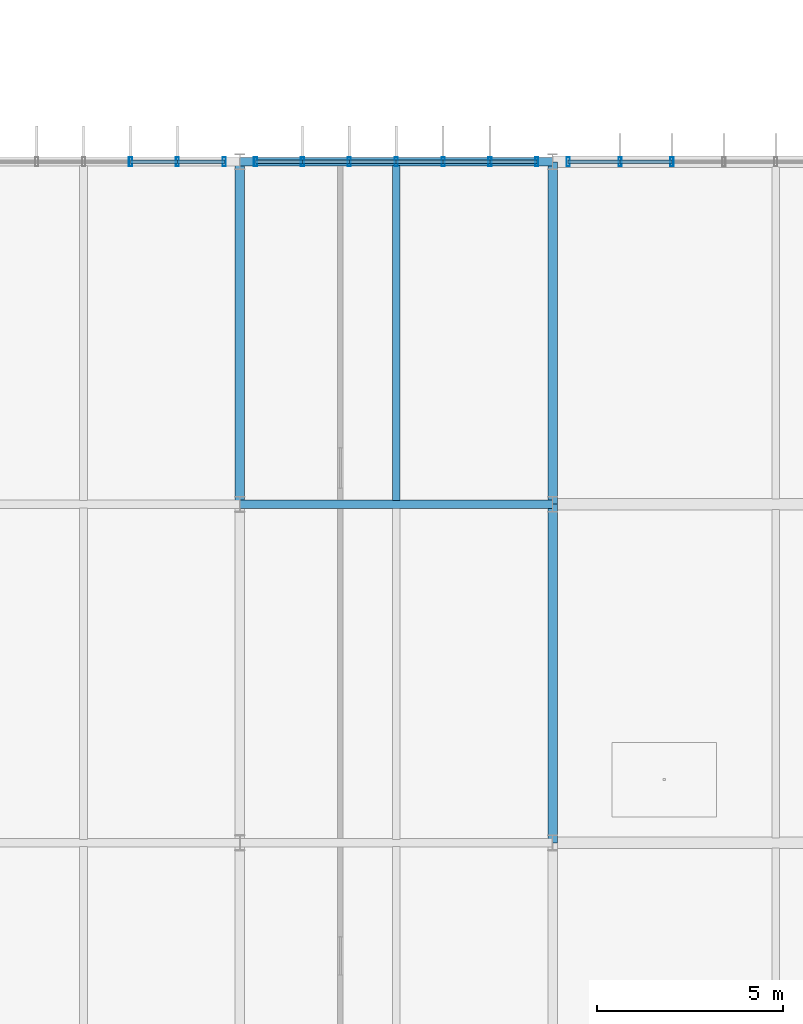
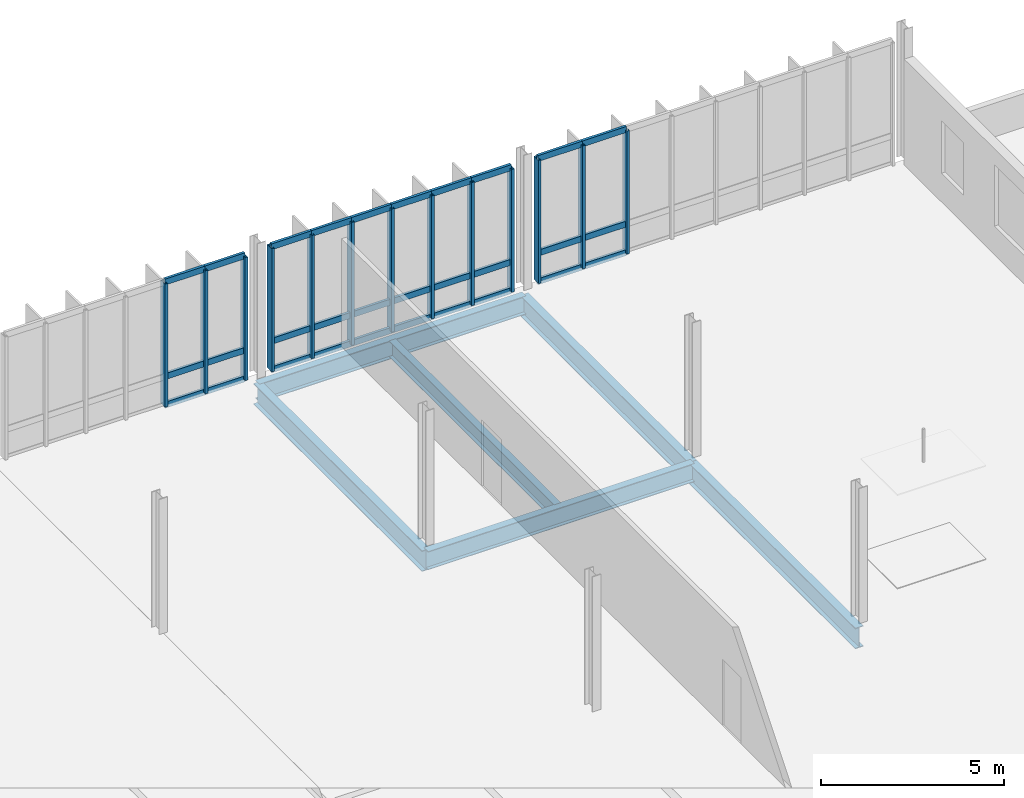
# One storey, part 79 of 139: 43 members, 6 beams, 3 elements without a shape of their own.
"""IFC4 building model written with IfcOpenShell, lengths in metres."""

from ifc_helpers import new_model, si_unit, derived_unit, direction, frame, origin, origin_2d, place, context, subcontext, project, spatial, hollow_rectangle, i_section, extrude, material, layer, layer_set, material_profile, profile_set, type_object, element, aggregate, save


model = new_model("IFC4")

# Units and contexts
model_context = context("Model", 3, precision=1e-05, world=origin(), true_north=direction((0.0, 1.0)))
body_context = subcontext(model_context, "Body", "Model", "MODEL_VIEW")
ifc_project = project(units=[si_unit("LENGTHUNIT", "METRE"), si_unit("AREAUNIT", "SQUARE_METRE"), si_unit("VOLUMEUNIT", "CUBIC_METRE"), si_unit("PLANEANGLEUNIT", "RADIAN"), si_unit("MASSUNIT", "GRAM", prefix="KILO"), derived_unit("THERMALTRANSMITTANCEUNIT", [(si_unit("MASSUNIT", "GRAM", prefix="KILO"), 1), (si_unit("TIMEUNIT", "SECOND"), -3), (si_unit("THERMODYNAMICTEMPERATUREUNIT", "KELVIN"), -1)])], contexts=[model_context])

# Site, building, storey
site_placement = place(None, origin())
site = spatial("IfcSite", under=ifc_project, at=site_placement, CompositionType="ELEMENT")
building_placement = place(site_placement, origin())
building = spatial("IfcBuilding", under=site, at=building_placement, Name="Makaiwela Harbour Ferry Terminal", CompositionType="ELEMENT")
storey_placement = place(building_placement, frame((0.0, 0.0, 5.10009765625)))
storey = spatial("IfcBuildingStorey", under=building, at=storey_placement, Name="L01", CompositionType="ELEMENT", Elevation=5.10009765625)

# Curtain wall, members
ifc_material_1 = material(Name="Marine anodised aluminium 6063-T6", Category="aluminium")
ifc_layer_1 = layer(ifc_material_1, 0.199951171875)
ifc_layer_set_1 = layer_set([ifc_layer_1], Name="Marine anodised aluminium 6063-T6")
curtain_wall_type_1 = type_object("IfcCurtainWallType", Name="ENV-CW-08", PredefinedType="USERDEFINED", material=ifc_layer_set_1)
curtain_wall_1_placement = place(storey_placement, origin())
curtain_wall_1 = element("IfcCurtainWall", 1, at=curtain_wall_1_placement, inside=storey, type_object=curtain_wall_type_1, Name="Unitised Curtain Wall CWA-121", ObjectType="UNITIZED CURTAIN WALL", PredefinedType="USERDEFINED")
ifc_material_profile_1 = material_profile(ifc_material_1, hollow_rectangle(XDim=0.0849609375, YDim=0.25, WallThickness=0.0048828125, at=origin_2d()), Name="CWM-250X85")
ifc_profile_set_1 = profile_set([ifc_material_profile_1], Name="Marine anodised aluminium 6063-T6")
member_type_1 = type_object("IfcMemberType", Name="CW-MUL-250", PredefinedType="MULLION", material=ifc_profile_set_1)
member_1_placement = place(storey_placement, frame((144.06005859375, 95.0, 0.0), z_axis=(0.0, 0.0, 1.0), x_axis=(1.0, 0.0, 0.0)))
member_1 = element("IfcMember", 2, at=member_1_placement, type_object=member_type_1, Name="Curtain Wall Mullion CWA-121-5", PredefinedType="MULLION", context=body_context, shape_type="SweptSolid", body=[
    extrude(hollow_rectangle(XDim=0.0849609375, YDim=0.25, WallThickness=0.0048828125, at=origin_2d()), origin(), (0.0, 0.0, 1.0), 4.099853515625),
])
member_2_placement = place(storey_placement, frame((145.320068359375, 95.0, 0.0), z_axis=(0.0, 0.0, 1.0), x_axis=(1.0, 0.0, 0.0)))
member_2 = element("IfcMember", 3, at=member_2_placement, type_object=member_type_1, Name="Curtain Wall Mullion CWA-121-6", PredefinedType="MULLION", context=body_context, shape_type="SweptSolid", body=[
    extrude(hollow_rectangle(XDim=0.0849609375, YDim=0.25, WallThickness=0.0048828125, at=origin_2d()), origin(), (0.0, 0.0, 1.0), 4.099853515625),
])
member_3_placement = place(storey_placement, frame((146.580078125, 95.0, 0.0), z_axis=(0.0, 0.0, 1.0), x_axis=(1.0, 0.0, 0.0)))
member_3 = element("IfcMember", 4, at=member_3_placement, type_object=member_type_1, Name="Curtain Wall Mullion CWA-121-7", PredefinedType="MULLION", context=body_context, shape_type="SweptSolid", body=[
    extrude(hollow_rectangle(XDim=0.0849609375, YDim=0.25, WallThickness=0.0048828125, at=origin_2d()), origin(), (0.0, 0.0, 1.0), 4.099853515625),
])

curtain_wall_2_placement = place(storey_placement, origin())
curtain_wall_2 = element("IfcCurtainWall", 5, at=curtain_wall_2_placement, inside=storey, type_object=curtain_wall_type_1, Name="Unitised Curtain Wall CWA-125", ObjectType="UNITIZED CURTAIN WALL", PredefinedType="USERDEFINED")
member_4_placement = place(storey_placement, frame((147.419921875, 95.0, 0.0), z_axis=(0.0, 0.0, 1.0), x_axis=(1.0, 0.0, 0.0)))
member_4 = element("IfcMember", 6, at=member_4_placement, type_object=member_type_1, Name="Curtain Wall Mullion CWA-125-1", PredefinedType="MULLION", context=body_context, shape_type="SweptSolid", body=[
    extrude(hollow_rectangle(XDim=0.0849609375, YDim=0.25, WallThickness=0.0048828125, at=origin_2d()), origin(), (0.0, 0.0, 1.0), 4.099853515625),
])
member_5_placement = place(storey_placement, frame((148.679931640625, 95.0, 0.0), z_axis=(0.0, 0.0, 1.0), x_axis=(1.0, 0.0, 0.0)))
member_5 = element("IfcMember", 7, at=member_5_placement, type_object=member_type_1, Name="Curtain Wall Mullion CWA-125-2", PredefinedType="MULLION", context=body_context, shape_type="SweptSolid", body=[
    extrude(hollow_rectangle(XDim=0.0849609375, YDim=0.25, WallThickness=0.0048828125, at=origin_2d()), origin(), (0.0, 0.0, 1.0), 4.099853515625),
])
member_6_placement = place(storey_placement, frame((149.93994140625, 95.0, 0.0), z_axis=(0.0, 0.0, 1.0), x_axis=(1.0, 0.0, 0.0)))
member_6 = element("IfcMember", 8, at=member_6_placement, type_object=member_type_1, Name="Curtain Wall Mullion CWA-125-3", PredefinedType="MULLION", context=body_context, shape_type="SweptSolid", body=[
    extrude(hollow_rectangle(XDim=0.0849609375, YDim=0.25, WallThickness=0.0048828125, at=origin_2d()), origin(), (0.0, 0.0, 1.0), 4.099853515625),
])
member_7_placement = place(storey_placement, frame((151.199951171875, 95.0, 0.0), z_axis=(0.0, 0.0, 1.0), x_axis=(1.0, 0.0, 0.0)))
member_7 = element("IfcMember", 9, at=member_7_placement, type_object=member_type_1, Name="Curtain Wall Mullion CWA-125-4", PredefinedType="MULLION", context=body_context, shape_type="SweptSolid", body=[
    extrude(hollow_rectangle(XDim=0.0849609375, YDim=0.25, WallThickness=0.0048828125, at=origin_2d()), origin(), (0.0, 0.0, 1.0), 4.099853515625),
])
member_8_placement = place(storey_placement, frame((152.4599609375, 95.0, 0.0), z_axis=(0.0, 0.0, 1.0), x_axis=(1.0, 0.0, 0.0)))
member_8 = element("IfcMember", 10, at=member_8_placement, type_object=member_type_1, Name="Curtain Wall Mullion CWA-125-5", PredefinedType="MULLION", context=body_context, shape_type="SweptSolid", body=[
    extrude(hollow_rectangle(XDim=0.0849609375, YDim=0.25, WallThickness=0.0048828125, at=origin_2d()), origin(), (0.0, 0.0, 1.0), 4.099853515625),
])
member_9_placement = place(storey_placement, frame((153.719970703125, 95.0, 0.0), z_axis=(0.0, 0.0, 1.0), x_axis=(1.0, 0.0, 0.0)))
member_9 = element("IfcMember", 11, at=member_9_placement, type_object=member_type_1, Name="Curtain Wall Mullion CWA-125-6", PredefinedType="MULLION", context=body_context, shape_type="SweptSolid", body=[
    extrude(hollow_rectangle(XDim=0.0849609375, YDim=0.25, WallThickness=0.0048828125, at=origin_2d()), origin(), (0.0, 0.0, 1.0), 4.099853515625),
])
member_10_placement = place(storey_placement, frame((154.97998046875, 95.0, 0.0), z_axis=(0.0, 0.0, 1.0), x_axis=(1.0, 0.0, 0.0)))
member_10 = element("IfcMember", 12, at=member_10_placement, type_object=member_type_1, Name="Curtain Wall Mullion CWA-125-7", PredefinedType="MULLION", context=body_context, shape_type="SweptSolid", body=[
    extrude(hollow_rectangle(XDim=0.0849609375, YDim=0.25, WallThickness=0.0048828125, at=origin_2d()), origin(), (0.0, 0.0, 1.0), 4.099853515625),
])

ifc_layer_2 = layer(ifc_material_1, 0.199951171875)
ifc_layer_set_2 = layer_set([ifc_layer_2], Name="Marine anodised aluminium 6063-T6")
curtain_wall_type_2 = type_object("IfcCurtainWallType", Name="ENV-CW-17", PredefinedType="USERDEFINED", material=ifc_layer_set_2)
curtain_wall_3_placement = place(storey_placement, origin())
curtain_wall_3 = element("IfcCurtainWall", 13, at=curtain_wall_3_placement, inside=storey, type_object=curtain_wall_type_2, Name="Unitised Curtain Wall CWA-129", ObjectType="UNITIZED CURTAIN WALL", PredefinedType="USERDEFINED")
member_11_placement = place(storey_placement, frame((155.820068359375, 95.0, 0.0), z_axis=(0.0, 0.0, 1.0), x_axis=(1.0, 0.0, 0.0)))
member_11 = element("IfcMember", 14, at=member_11_placement, type_object=member_type_1, Name="Curtain Wall Mullion CWA-129-1", PredefinedType="MULLION", context=body_context, shape_type="SweptSolid", body=[
    extrude(hollow_rectangle(XDim=0.0849609375, YDim=0.25, WallThickness=0.0048828125, at=origin_2d()), origin(), (0.0, 0.0, 1.0), 4.099853515625),
])
member_12_placement = place(storey_placement, frame((157.215087890625, 95.0, 0.0), z_axis=(0.0, 0.0, 1.0), x_axis=(1.0, 0.0, 0.0)))
member_12 = element("IfcMember", 15, at=member_12_placement, type_object=member_type_1, Name="Curtain Wall Mullion CWA-129-2", PredefinedType="MULLION", context=body_context, shape_type="SweptSolid", body=[
    extrude(hollow_rectangle(XDim=0.0849609375, YDim=0.25, WallThickness=0.0048828125, at=origin_2d()), origin(), (0.0, 0.0, 1.0), 4.099853515625),
])
member_13_placement = place(storey_placement, frame((158.610107421875, 95.0, 0.0), z_axis=(0.0, 0.0, 1.0), x_axis=(1.0, 0.0, 0.0)))
member_13 = element("IfcMember", 16, at=member_13_placement, type_object=member_type_1, Name="Curtain Wall Mullion CWA-129-3", PredefinedType="MULLION", context=body_context, shape_type="SweptSolid", body=[
    extrude(hollow_rectangle(XDim=0.0849609375, YDim=0.25, WallThickness=0.0048828125, at=origin_2d()), origin(), (0.0, 0.0, 1.0), 4.099853515625),
])

# Member
ifc_material_profile_2 = material_profile(ifc_material_1, hollow_rectangle(XDim=0.0849609375, YDim=0.199951171875, WallThickness=0.0048828125, at=origin_2d()), Name="CWT-200X85")
ifc_profile_set_2 = profile_set([ifc_material_profile_2], Name="Marine anodised aluminium 6063-T6")
member_type_2 = type_object("IfcMemberType", Name="CW-TRN-200", PredefinedType="USERDEFINED", material=ifc_profile_set_2)
member_14_placement = place(storey_placement, frame((144.06005859375, 95.0, 0.0), z_axis=(1.0, 0.0, 0.0), x_axis=(0.0, 1.0, 0.0)))
member_14 = element("IfcMember", 17, at=member_14_placement, type_object=member_type_2, Name="Curtain Wall Transom CWA-121-5-1", ObjectType="TRANSOM", PredefinedType="USERDEFINED", context=body_context, shape_type="SweptSolid", body=[
    extrude(hollow_rectangle(XDim=0.0849609375, YDim=0.199951171875, WallThickness=0.0048828125, at=origin_2d()), origin(), (0.0, 0.0, 1.0), 1.260009765625),
])

member_15_placement = place(storey_placement, frame((144.06005859375, 95.0, 0.949951171875), z_axis=(1.0, 0.0, 0.0), x_axis=(0.0, 1.0, 0.0)))
member_15 = element("IfcMember", 18, at=member_15_placement, type_object=member_type_2, Name="Curtain Wall Transom CWA-121-5-2", ObjectType="TRANSOM", PredefinedType="USERDEFINED", context=body_context, shape_type="SweptSolid", body=[
    extrude(hollow_rectangle(XDim=0.0849609375, YDim=0.199951171875, WallThickness=0.0048828125, at=origin_2d()), origin(), (0.0, 0.0, 1.0), 1.260009765625),
])

member_16_placement = place(storey_placement, frame((144.06005859375, 95.0, 4.099853515625), z_axis=(1.0, 0.0, 0.0), x_axis=(0.0, 1.0, 0.0)))
member_16 = element("IfcMember", 19, at=member_16_placement, type_object=member_type_2, Name="Curtain Wall Transom CWA-121-5-3", ObjectType="TRANSOM", PredefinedType="USERDEFINED", context=body_context, shape_type="SweptSolid", body=[
    extrude(hollow_rectangle(XDim=0.0849609375, YDim=0.199951171875, WallThickness=0.0048828125, at=origin_2d()), origin(), (0.0, 0.0, 1.0), 1.260009765625),
])

member_17_placement = place(storey_placement, frame((145.320068359375, 95.0, 0.0), z_axis=(1.0, 0.0, 0.0), x_axis=(0.0, 1.0, 0.0)))
member_17 = element("IfcMember", 20, at=member_17_placement, type_object=member_type_2, Name="Curtain Wall Transom CWA-121-6-1", ObjectType="TRANSOM", PredefinedType="USERDEFINED", context=body_context, shape_type="SweptSolid", body=[
    extrude(hollow_rectangle(XDim=0.0849609375, YDim=0.199951171875, WallThickness=0.0048828125, at=origin_2d()), origin(), (0.0, 0.0, 1.0), 1.260009765625),
])

member_18_placement = place(storey_placement, frame((145.320068359375, 95.0, 0.949951171875), z_axis=(1.0, 0.0, 0.0), x_axis=(0.0, 1.0, 0.0)))
member_18 = element("IfcMember", 21, at=member_18_placement, type_object=member_type_2, Name="Curtain Wall Transom CWA-121-6-2", ObjectType="TRANSOM", PredefinedType="USERDEFINED", context=body_context, shape_type="SweptSolid", body=[
    extrude(hollow_rectangle(XDim=0.0849609375, YDim=0.199951171875, WallThickness=0.0048828125, at=origin_2d()), origin(), (0.0, 0.0, 1.0), 1.260009765625),
])

member_19_placement = place(storey_placement, frame((145.320068359375, 95.0, 4.099853515625), z_axis=(1.0, 0.0, 0.0), x_axis=(0.0, 1.0, 0.0)))
member_19 = element("IfcMember", 22, at=member_19_placement, type_object=member_type_2, Name="Curtain Wall Transom CWA-121-6-3", ObjectType="TRANSOM", PredefinedType="USERDEFINED", context=body_context, shape_type="SweptSolid", body=[
    extrude(hollow_rectangle(XDim=0.0849609375, YDim=0.199951171875, WallThickness=0.0048828125, at=origin_2d()), origin(), (0.0, 0.0, 1.0), 1.260009765625),
])

aggregate(curtain_wall_1, [member_1, member_2, member_3, member_14, member_15, member_16, member_17, member_18, member_19])

member_20_placement = place(storey_placement, frame((147.419921875, 95.0, 0.0), z_axis=(1.0, 0.0, 0.0), x_axis=(0.0, 1.0, 0.0)))
member_20 = element("IfcMember", 23, at=member_20_placement, type_object=member_type_2, Name="Curtain Wall Transom CWA-125-1-1", ObjectType="TRANSOM", PredefinedType="USERDEFINED", context=body_context, shape_type="SweptSolid", body=[
    extrude(hollow_rectangle(XDim=0.0849609375, YDim=0.199951171875, WallThickness=0.0048828125, at=origin_2d()), origin(), (0.0, 0.0, 1.0), 1.260009765625),
])

member_21_placement = place(storey_placement, frame((147.419921875, 95.0, 0.949951171875), z_axis=(1.0, 0.0, 0.0), x_axis=(0.0, 1.0, 0.0)))
member_21 = element("IfcMember", 24, at=member_21_placement, type_object=member_type_2, Name="Curtain Wall Transom CWA-125-1-2", ObjectType="TRANSOM", PredefinedType="USERDEFINED", context=body_context, shape_type="SweptSolid", body=[
    extrude(hollow_rectangle(XDim=0.0849609375, YDim=0.199951171875, WallThickness=0.0048828125, at=origin_2d()), origin(), (0.0, 0.0, 1.0), 1.260009765625),
])

member_22_placement = place(storey_placement, frame((147.419921875, 95.0, 4.099853515625), z_axis=(1.0, 0.0, 0.0), x_axis=(0.0, 1.0, 0.0)))
member_22 = element("IfcMember", 25, at=member_22_placement, type_object=member_type_2, Name="Curtain Wall Transom CWA-125-1-3", ObjectType="TRANSOM", PredefinedType="USERDEFINED", context=body_context, shape_type="SweptSolid", body=[
    extrude(hollow_rectangle(XDim=0.0849609375, YDim=0.199951171875, WallThickness=0.0048828125, at=origin_2d()), origin(), (0.0, 0.0, 1.0), 1.260009765625),
])

member_23_placement = place(storey_placement, frame((148.679931640625, 95.0, 0.0), z_axis=(1.0, 0.0, 0.0), x_axis=(0.0, 1.0, 0.0)))
member_23 = element("IfcMember", 26, at=member_23_placement, type_object=member_type_2, Name="Curtain Wall Transom CWA-125-2-1", ObjectType="TRANSOM", PredefinedType="USERDEFINED", context=body_context, shape_type="SweptSolid", body=[
    extrude(hollow_rectangle(XDim=0.0849609375, YDim=0.199951171875, WallThickness=0.0048828125, at=origin_2d()), origin(), (0.0, 0.0, 1.0), 1.260009765625),
])

member_24_placement = place(storey_placement, frame((148.679931640625, 95.0, 0.949951171875), z_axis=(1.0, 0.0, 0.0), x_axis=(0.0, 1.0, 0.0)))
member_24 = element("IfcMember", 27, at=member_24_placement, type_object=member_type_2, Name="Curtain Wall Transom CWA-125-2-2", ObjectType="TRANSOM", PredefinedType="USERDEFINED", context=body_context, shape_type="SweptSolid", body=[
    extrude(hollow_rectangle(XDim=0.0849609375, YDim=0.199951171875, WallThickness=0.0048828125, at=origin_2d()), origin(), (0.0, 0.0, 1.0), 1.260009765625),
])

member_25_placement = place(storey_placement, frame((148.679931640625, 95.0, 4.099853515625), z_axis=(1.0, 0.0, 0.0), x_axis=(0.0, 1.0, 0.0)))
member_25 = element("IfcMember", 28, at=member_25_placement, type_object=member_type_2, Name="Curtain Wall Transom CWA-125-2-3", ObjectType="TRANSOM", PredefinedType="USERDEFINED", context=body_context, shape_type="SweptSolid", body=[
    extrude(hollow_rectangle(XDim=0.0849609375, YDim=0.199951171875, WallThickness=0.0048828125, at=origin_2d()), origin(), (0.0, 0.0, 1.0), 1.260009765625),
])

member_26_placement = place(storey_placement, frame((149.93994140625, 95.0, 0.0), z_axis=(1.0, 0.0, 0.0), x_axis=(0.0, 1.0, 0.0)))
member_26 = element("IfcMember", 29, at=member_26_placement, type_object=member_type_2, Name="Curtain Wall Transom CWA-125-3-1", ObjectType="TRANSOM", PredefinedType="USERDEFINED", context=body_context, shape_type="SweptSolid", body=[
    extrude(hollow_rectangle(XDim=0.0849609375, YDim=0.199951171875, WallThickness=0.0048828125, at=origin_2d()), origin(), (0.0, 0.0, 1.0), 1.260009765625),
])

member_27_placement = place(storey_placement, frame((149.93994140625, 95.0, 0.949951171875), z_axis=(1.0, 0.0, 0.0), x_axis=(0.0, 1.0, 0.0)))
member_27 = element("IfcMember", 30, at=member_27_placement, type_object=member_type_2, Name="Curtain Wall Transom CWA-125-3-2", ObjectType="TRANSOM", PredefinedType="USERDEFINED", context=body_context, shape_type="SweptSolid", body=[
    extrude(hollow_rectangle(XDim=0.0849609375, YDim=0.199951171875, WallThickness=0.0048828125, at=origin_2d()), origin(), (0.0, 0.0, 1.0), 1.260009765625),
])

member_28_placement = place(storey_placement, frame((149.93994140625, 95.0, 4.099853515625), z_axis=(1.0, 0.0, 0.0), x_axis=(0.0, 1.0, 0.0)))
member_28 = element("IfcMember", 31, at=member_28_placement, type_object=member_type_2, Name="Curtain Wall Transom CWA-125-3-3", ObjectType="TRANSOM", PredefinedType="USERDEFINED", context=body_context, shape_type="SweptSolid", body=[
    extrude(hollow_rectangle(XDim=0.0849609375, YDim=0.199951171875, WallThickness=0.0048828125, at=origin_2d()), origin(), (0.0, 0.0, 1.0), 1.260009765625),
])

member_29_placement = place(storey_placement, frame((151.199951171875, 95.0, 0.0), z_axis=(1.0, 0.0, 0.0), x_axis=(0.0, 1.0, 0.0)))
member_29 = element("IfcMember", 32, at=member_29_placement, type_object=member_type_2, Name="Curtain Wall Transom CWA-125-4-1", ObjectType="TRANSOM", PredefinedType="USERDEFINED", context=body_context, shape_type="SweptSolid", body=[
    extrude(hollow_rectangle(XDim=0.0849609375, YDim=0.199951171875, WallThickness=0.0048828125, at=origin_2d()), origin(), (0.0, 0.0, 1.0), 1.260009765625),
])

member_30_placement = place(storey_placement, frame((151.199951171875, 95.0, 0.949951171875), z_axis=(1.0, 0.0, 0.0), x_axis=(0.0, 1.0, 0.0)))
member_30 = element("IfcMember", 33, at=member_30_placement, type_object=member_type_2, Name="Curtain Wall Transom CWA-125-4-2", ObjectType="TRANSOM", PredefinedType="USERDEFINED", context=body_context, shape_type="SweptSolid", body=[
    extrude(hollow_rectangle(XDim=0.0849609375, YDim=0.199951171875, WallThickness=0.0048828125, at=origin_2d()), origin(), (0.0, 0.0, 1.0), 1.260009765625),
])

member_31_placement = place(storey_placement, frame((151.199951171875, 95.0, 4.099853515625), z_axis=(1.0, 0.0, 0.0), x_axis=(0.0, 1.0, 0.0)))
member_31 = element("IfcMember", 34, at=member_31_placement, type_object=member_type_2, Name="Curtain Wall Transom CWA-125-4-3", ObjectType="TRANSOM", PredefinedType="USERDEFINED", context=body_context, shape_type="SweptSolid", body=[
    extrude(hollow_rectangle(XDim=0.0849609375, YDim=0.199951171875, WallThickness=0.0048828125, at=origin_2d()), origin(), (0.0, 0.0, 1.0), 1.260009765625),
])

member_32_placement = place(storey_placement, frame((152.4599609375, 95.0, 0.0), z_axis=(1.0, 0.0, 0.0), x_axis=(0.0, 1.0, 0.0)))
member_32 = element("IfcMember", 35, at=member_32_placement, type_object=member_type_2, Name="Curtain Wall Transom CWA-125-5-1", ObjectType="TRANSOM", PredefinedType="USERDEFINED", context=body_context, shape_type="SweptSolid", body=[
    extrude(hollow_rectangle(XDim=0.0849609375, YDim=0.199951171875, WallThickness=0.0048828125, at=origin_2d()), origin(), (0.0, 0.0, 1.0), 1.260009765625),
])

member_33_placement = place(storey_placement, frame((152.4599609375, 95.0, 0.949951171875), z_axis=(1.0, 0.0, 0.0), x_axis=(0.0, 1.0, 0.0)))
member_33 = element("IfcMember", 36, at=member_33_placement, type_object=member_type_2, Name="Curtain Wall Transom CWA-125-5-2", ObjectType="TRANSOM", PredefinedType="USERDEFINED", context=body_context, shape_type="SweptSolid", body=[
    extrude(hollow_rectangle(XDim=0.0849609375, YDim=0.199951171875, WallThickness=0.0048828125, at=origin_2d()), origin(), (0.0, 0.0, 1.0), 1.260009765625),
])

member_34_placement = place(storey_placement, frame((152.4599609375, 95.0, 4.099853515625), z_axis=(1.0, 0.0, 0.0), x_axis=(0.0, 1.0, 0.0)))
member_34 = element("IfcMember", 37, at=member_34_placement, type_object=member_type_2, Name="Curtain Wall Transom CWA-125-5-3", ObjectType="TRANSOM", PredefinedType="USERDEFINED", context=body_context, shape_type="SweptSolid", body=[
    extrude(hollow_rectangle(XDim=0.0849609375, YDim=0.199951171875, WallThickness=0.0048828125, at=origin_2d()), origin(), (0.0, 0.0, 1.0), 1.260009765625),
])

member_35_placement = place(storey_placement, frame((153.719970703125, 95.0, 0.0), z_axis=(1.0, 0.0, 0.0), x_axis=(0.0, 1.0, 0.0)))
member_35 = element("IfcMember", 38, at=member_35_placement, type_object=member_type_2, Name="Curtain Wall Transom CWA-125-6-1", ObjectType="TRANSOM", PredefinedType="USERDEFINED", context=body_context, shape_type="SweptSolid", body=[
    extrude(hollow_rectangle(XDim=0.0849609375, YDim=0.199951171875, WallThickness=0.0048828125, at=origin_2d()), origin(), (0.0, 0.0, 1.0), 1.260009765625),
])

member_36_placement = place(storey_placement, frame((153.719970703125, 95.0, 0.949951171875), z_axis=(1.0, 0.0, 0.0), x_axis=(0.0, 1.0, 0.0)))
member_36 = element("IfcMember", 39, at=member_36_placement, type_object=member_type_2, Name="Curtain Wall Transom CWA-125-6-2", ObjectType="TRANSOM", PredefinedType="USERDEFINED", context=body_context, shape_type="SweptSolid", body=[
    extrude(hollow_rectangle(XDim=0.0849609375, YDim=0.199951171875, WallThickness=0.0048828125, at=origin_2d()), origin(), (0.0, 0.0, 1.0), 1.260009765625),
])

member_37_placement = place(storey_placement, frame((153.719970703125, 95.0, 4.099853515625), z_axis=(1.0, 0.0, 0.0), x_axis=(0.0, 1.0, 0.0)))
member_37 = element("IfcMember", 40, at=member_37_placement, type_object=member_type_2, Name="Curtain Wall Transom CWA-125-6-3", ObjectType="TRANSOM", PredefinedType="USERDEFINED", context=body_context, shape_type="SweptSolid", body=[
    extrude(hollow_rectangle(XDim=0.0849609375, YDim=0.199951171875, WallThickness=0.0048828125, at=origin_2d()), origin(), (0.0, 0.0, 1.0), 1.260009765625),
])

aggregate(curtain_wall_2, [member_4, member_5, member_6, member_7, member_8, member_9, member_10, member_20, member_21, member_22, member_23, member_24, member_25, member_26, member_27, member_28, member_29, member_30, member_31, member_32, member_33, member_34, member_35, member_36, member_37])

member_38_placement = place(storey_placement, frame((155.820068359375, 95.0, 0.0), z_axis=(1.0, 0.0, 0.0), x_axis=(0.0, 1.0, 0.0)))
member_38 = element("IfcMember", 41, at=member_38_placement, type_object=member_type_2, Name="Curtain Wall Transom CWA-129-1-1", ObjectType="TRANSOM", PredefinedType="USERDEFINED", context=body_context, shape_type="SweptSolid", body=[
    extrude(hollow_rectangle(XDim=0.0849609375, YDim=0.199951171875, WallThickness=0.0048828125, at=origin_2d()), origin(), (0.0, 0.0, 1.0), 1.39501953125),
])

member_39_placement = place(storey_placement, frame((155.820068359375, 95.0, 0.949951171875), z_axis=(1.0, 0.0, 0.0), x_axis=(0.0, 1.0, 0.0)))
member_39 = element("IfcMember", 42, at=member_39_placement, type_object=member_type_2, Name="Curtain Wall Transom CWA-129-1-2", ObjectType="TRANSOM", PredefinedType="USERDEFINED", context=body_context, shape_type="SweptSolid", body=[
    extrude(hollow_rectangle(XDim=0.0849609375, YDim=0.199951171875, WallThickness=0.0048828125, at=origin_2d()), origin(), (0.0, 0.0, 1.0), 1.39501953125),
])

member_40_placement = place(storey_placement, frame((155.820068359375, 95.0, 4.099853515625), z_axis=(1.0, 0.0, 0.0), x_axis=(0.0, 1.0, 0.0)))
member_40 = element("IfcMember", 43, at=member_40_placement, type_object=member_type_2, Name="Curtain Wall Transom CWA-129-1-3", ObjectType="TRANSOM", PredefinedType="USERDEFINED", context=body_context, shape_type="SweptSolid", body=[
    extrude(hollow_rectangle(XDim=0.0849609375, YDim=0.199951171875, WallThickness=0.0048828125, at=origin_2d()), origin(), (0.0, 0.0, 1.0), 1.39501953125),
])

member_41_placement = place(storey_placement, frame((157.215087890625, 95.0, 0.0), z_axis=(1.0, 0.0, 0.0), x_axis=(0.0, 1.0, 0.0)))
member_41 = element("IfcMember", 44, at=member_41_placement, type_object=member_type_2, Name="Curtain Wall Transom CWA-129-2-1", ObjectType="TRANSOM", PredefinedType="USERDEFINED", context=body_context, shape_type="SweptSolid", body=[
    extrude(hollow_rectangle(XDim=0.0849609375, YDim=0.199951171875, WallThickness=0.0048828125, at=origin_2d()), origin(), (0.0, 0.0, 1.0), 1.39501953125),
])

member_42_placement = place(storey_placement, frame((157.215087890625, 95.0, 0.949951171875), z_axis=(1.0, 0.0, 0.0), x_axis=(0.0, 1.0, 0.0)))
member_42 = element("IfcMember", 45, at=member_42_placement, type_object=member_type_2, Name="Curtain Wall Transom CWA-129-2-2", ObjectType="TRANSOM", PredefinedType="USERDEFINED", context=body_context, shape_type="SweptSolid", body=[
    extrude(hollow_rectangle(XDim=0.0849609375, YDim=0.199951171875, WallThickness=0.0048828125, at=origin_2d()), origin(), (0.0, 0.0, 1.0), 1.39501953125),
])

member_43_placement = place(storey_placement, frame((157.215087890625, 95.0, 4.099853515625), z_axis=(1.0, 0.0, 0.0), x_axis=(0.0, 1.0, 0.0)))
member_43 = element("IfcMember", 46, at=member_43_placement, type_object=member_type_2, Name="Curtain Wall Transom CWA-129-2-3", ObjectType="TRANSOM", PredefinedType="USERDEFINED", context=body_context, shape_type="SweptSolid", body=[
    extrude(hollow_rectangle(XDim=0.0849609375, YDim=0.199951171875, WallThickness=0.0048828125, at=origin_2d()), origin(), (0.0, 0.0, 1.0), 1.39501953125),
])

aggregate(curtain_wall_3, [member_11, member_12, member_13, member_38, member_39, member_40, member_41, member_42, member_43])

# Beams
ifc_material_2 = material(Name="Steel ASTM A992 Grade 50", Category="steel")
ifc_material_profile_3 = material_profile(ifc_material_2, i_section(OverallWidth=0.2099609375, OverallDepth=0.537109375, WebThickness=0.010986328125, FlangeThickness=0.017333984375, at=origin_2d()), Name="W21X68")
ifc_profile_set_3 = profile_set([ifc_material_profile_3], Name="Steel ASTM A992 Grade 50")
beam_type_1 = type_object("IfcBeamType", Name="STR-BM-W21X68", PredefinedType="BEAM", material=ifc_profile_set_3)
beam_1_placement = place(storey_placement, frame((151.199951171875, 85.896484375, -0.548583984375), z_axis=(0.0, 1.0, 0.0), x_axis=(-1.0, 0.0, 0.0)))
element("IfcBeam", 47, at=beam_1_placement, inside=storey, type_object=beam_type_1, Name="Secondary floor beam 1170", PredefinedType="BEAM", context=body_context, shape_type="SweptSolid", body=[
    extrude(i_section(OverallWidth=0.2099609375, OverallDepth=0.537109375, WebThickness=0.010986328125, FlangeThickness=0.017333984375, at=origin_2d()), origin(), (0.0, 0.0, 1.0), 9.007080078125),
])
ifc_material_profile_4 = material_profile(ifc_material_2, i_section(OverallWidth=0.22900390625, OverallDepth=0.612060546875, WebThickness=0.011962890625, FlangeThickness=0.01953125, at=origin_2d()), Name="W24X84")
ifc_profile_set_4 = profile_set([ifc_material_profile_4], Name="Steel ASTM A992 Grade 50")
beam_type_2 = type_object("IfcBeamType", Name="STR-GRD-W24X84", PredefinedType="USERDEFINED", material=ifc_profile_set_4)
for number, where, z_axis, x_axis, name in (
    (48, (147.0, 85.800048828125, -0.586181640625), (1.0, 0.0, 0.0), (0.0, 1.0, 0.0), "Primary X girder 890"),
    (49, (147.0, 95.0, -0.586181640625), (1.0, 0.0, 0.0), (0.0, 1.0, 0.0), "Primary X girder 899"),
):
    element("IfcBeam", number, at=place(storey_placement, frame(where, z_axis=z_axis, x_axis=x_axis)), inside=storey, type_object=beam_type_2, Name=name, ObjectType="GIRDER", PredefinedType="USERDEFINED", context=body_context, shape_type="SweptSolid", body=[
        extrude(i_section(OverallWidth=0.22900390625, OverallDepth=0.612060546875, WebThickness=0.011962890625, FlangeThickness=0.01953125, at=origin_2d()), origin(), (0.0, 0.0, 1.0), 8.39990234375),
    ])
ifc_material_profile_5 = material_profile(ifc_material_2, i_section(OverallWidth=0.256103515625, OverallDepth=0.693115234375, WebThickness=0.014404296875, FlangeThickness=0.023681640625, at=origin_2d()), Name="W27X114")
ifc_profile_set_5 = profile_set([ifc_material_profile_5], Name="Steel ASTM A992 Grade 50")
beam_type_3 = type_object("IfcBeamType", Name="STR-GRD-W27X114", PredefinedType="USERDEFINED", material=ifc_profile_set_5)
beam_2_placement = place(storey_placement, frame((147.0, 85.800048828125, -0.626708984375), z_axis=(0.0, 1.0, 0.0), x_axis=(-1.0, 0.0, 0.0)))
element("IfcBeam", 50, at=beam_2_placement, inside=storey, type_object=beam_type_3, Name="Primary Y girder 1029", ObjectType="GIRDER", PredefinedType="USERDEFINED", context=body_context, shape_type="SweptSolid", body=[
    extrude(i_section(OverallWidth=0.256103515625, OverallDepth=0.693115234375, WebThickness=0.014404296875, FlangeThickness=0.023681640625, at=origin_2d()), origin(), (0.0, 0.0, 1.0), 9.199951171875),
])
beam_3_placement = place(storey_placement, frame((155.39990234375, 76.699951171875, -0.626708984375), z_axis=(0.0, 1.0, 0.0), x_axis=(-1.0, 0.0, 0.0)))
element("IfcBeam", 51, at=beam_3_placement, inside=storey, type_object=beam_type_3, Name="Primary Y girder 1039", ObjectType="GIRDER", PredefinedType="USERDEFINED", context=body_context, shape_type="SweptSolid", body=[
    extrude(i_section(OverallWidth=0.256103515625, OverallDepth=0.693115234375, WebThickness=0.014404296875, FlangeThickness=0.023681640625, at=origin_2d()), origin(), (0.0, 0.0, 1.0), 9.10009765625),
])
beam_4_placement = place(storey_placement, frame((155.39990234375, 85.800048828125, -0.626708984375), z_axis=(0.0, 1.0, 0.0), x_axis=(-1.0, 0.0, 0.0)))
element("IfcBeam", 52, at=beam_4_placement, inside=storey, type_object=beam_type_3, Name="Primary Y girder 1040", ObjectType="GIRDER", PredefinedType="USERDEFINED", context=body_context, shape_type="SweptSolid", body=[
    extrude(i_section(OverallWidth=0.256103515625, OverallDepth=0.693115234375, WebThickness=0.014404296875, FlangeThickness=0.023681640625, at=origin_2d()), origin(), (0.0, 0.0, 1.0), 9.199951171875),
])

save(model, "model.ifc")
